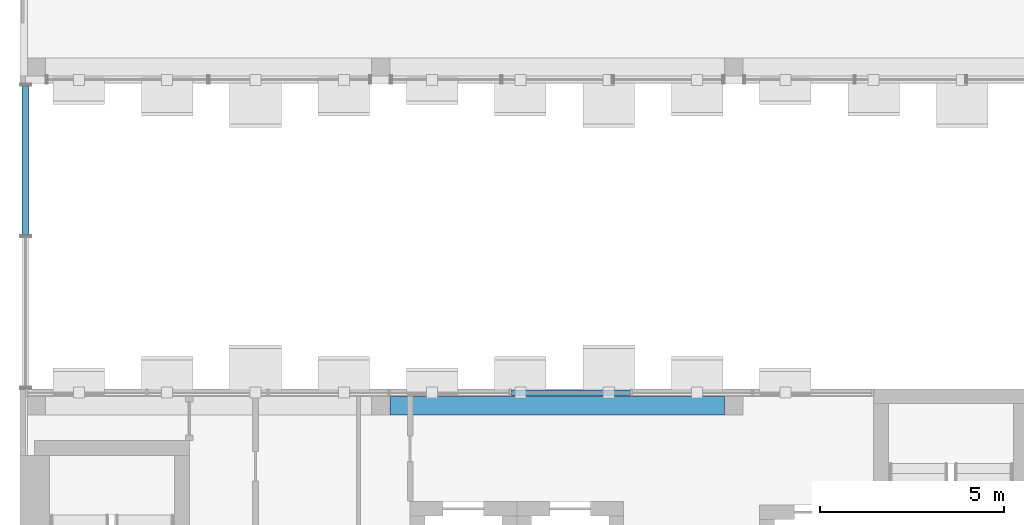
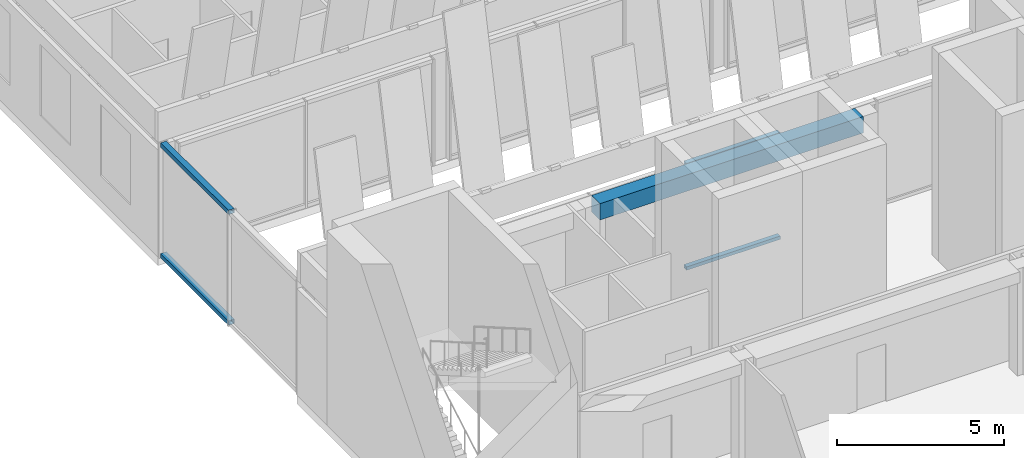
# One storey, part 6 of 26: 4 members, 1 beam, 2 elements without a shape of their own.
"""IFC4 building model written with IfcOpenShell, lengths in metres."""

from ifc_helpers import new_model, si_unit, direction, frame, origin, origin_2d, place, context, subcontext, project, spatial, rectangle, hollow_rectangle, extrude, material, layer, layer_set, material_profile, profile_set, type_object, element, aggregate, save


model = new_model("IFC4")

# Units and contexts
model_context = context("Model", 3, precision=1e-05, world=origin(), true_north=direction((0.0, 1.0)))
body_context = subcontext(model_context, "Body", "Model", "MODEL_VIEW")
ifc_project = project(units=[si_unit("LENGTHUNIT", "METRE"), si_unit("AREAUNIT", "SQUARE_METRE"), si_unit("VOLUMEUNIT", "CUBIC_METRE"), si_unit("PLANEANGLEUNIT", "RADIAN"), si_unit("MASSUNIT", "GRAM", prefix="KILO")], contexts=[model_context])

# Site, building, storey
site_placement = place(None, origin())
site = spatial("IfcSite", under=ifc_project, at=site_placement, CompositionType="ELEMENT")
building_placement = place(site_placement, origin())
building = spatial("IfcBuilding", under=site, at=building_placement, Name="Nzadi Deep Aquarium and Research Tower", CompositionType="ELEMENT")
storey_placement = place(building_placement, frame((0.0, 0.0, 78.10009765625)))
storey = spatial("IfcBuildingStorey", under=building, at=storey_placement, Name="L16", CompositionType="ELEMENT", Elevation=78.10009765625)

# Beam
ifc_material_1 = material(Name="Concrete C35/45", Category="concrete")
ifc_material_profile_1 = material_profile(ifc_material_1, rectangle(XDim=0.5, YDim=0.60009765625, at=origin_2d()))
ifc_profile_set_1 = profile_set([ifc_material_profile_1], Name="Concrete C35/45")
beam_type = type_object("IfcBeamType", Name="RC 500x600", PredefinedType="BEAM", material=ifc_profile_set_1)
beam_placement = place(storey_placement, frame((9.85009765625, 18.39990234375, 3.599853515625), z_axis=(1.0, 0.0, 0.0), x_axis=(0.0, 1.0, 0.0)))
element("IfcBeam", 1, at=beam_placement, inside=storey, type_object=beam_type, Name="B-Z1-L16-L3-2", PredefinedType="BEAM", context=body_context, shape_type="SweptSolid", body=[
    extrude(rectangle(XDim=0.5, YDim=0.60009765625, at=origin_2d()), origin(), (0.0, 0.0, 1.0), 9.099853515625),
])

# Curtain wall, members
ifc_material_2 = material(Name="Aluminium unitised frame", Category="aluminium")
ifc_layer_1 = layer(ifc_material_2, 0.199951171875)
ifc_layer_set_1 = layer_set([ifc_layer_1], Name="Aluminium unitised frame")
curtain_wall_type_1 = type_object("IfcCurtainWallType", Name="Curtain wall Unitised 200", PredefinedType="NOTDEFINED", material=ifc_layer_set_1)
curtain_wall_1_placement = place(storey_placement, origin())
curtain_wall_1 = element("IfcCurtainWall", 2, at=curtain_wall_1_placement, inside=storey, type_object=curtain_wall_type_1, Name="Unitised curtain wall blade A north L16", PredefinedType="NOTDEFINED")
ifc_material_3 = material(Name="Aluminium unitised frame", Category="aluminium")
ifc_material_profile_2 = material_profile(ifc_material_3, hollow_rectangle(XDim=0.159912109375, YDim=0.1201171875, WallThickness=0.0048828125, at=origin_2d()))
ifc_profile_set_2 = profile_set([ifc_material_profile_2], Name="Aluminium unitised frame")
member_type_1 = type_object("IfcMemberType", Name="Transom 120x160 Unitised", PredefinedType="MULLION", material=ifc_profile_set_2)
member_1_placement = place(storey_placement, frame((13.1513671875, 18.75, 0.059814453125), z_axis=(1.0, 0.0, 0.0), x_axis=(0.0, 1.0, 0.0)))
member_1 = element("IfcMember", 3, at=member_1_placement, type_object=member_type_1, Name="CW076 transom 5.1", PredefinedType="MULLION", context=body_context, shape_type="SweptSolid", body=[
    extrude(hollow_rectangle(XDim=0.159912109375, YDim=0.1201171875, WallThickness=0.0048828125, at=origin_2d()), origin(), (0.0, 0.0, 1.0), 3.23291015625),
])
member_2_placement = place(storey_placement, frame((13.1513671875, 18.75, 3.83984375), z_axis=(1.0, 0.0, 0.0), x_axis=(0.0, 1.0, 0.0)))
member_2 = element("IfcMember", 4, at=member_2_placement, type_object=member_type_1, Name="CW076 transom 5.2", PredefinedType="MULLION", context=body_context, shape_type="SweptSolid", body=[
    extrude(hollow_rectangle(XDim=0.159912109375, YDim=0.1201171875, WallThickness=0.0048828125, at=origin_2d()), origin(), (0.0, 0.0, 1.0), 3.23291015625),
])
aggregate(curtain_wall_1, [member_1, member_2])

ifc_material_4 = material(Name="Aluminium unitised frame wind post", Category="aluminium")
ifc_layer_2 = layer(ifc_material_4, 0.300048828125)
ifc_layer_set_2 = layer_set([ifc_layer_2], Name="Aluminium unitised frame wind post")
curtain_wall_type_2 = type_object("IfcCurtainWallType", Name="Curtain wall Slot End 300", PredefinedType="NOTDEFINED", material=ifc_layer_set_2)
curtain_wall_2_placement = place(storey_placement, origin())
curtain_wall_2 = element("IfcCurtainWall", 5, at=curtain_wall_2_placement, inside=storey, type_object=curtain_wall_type_2, Name="Glazed slot end west L16", PredefinedType="NOTDEFINED")
ifc_material_5 = material(Name="Aluminium unitised frame wind post", Category="aluminium")
ifc_material_profile_3 = material_profile(ifc_material_5, hollow_rectangle(XDim=0.199951171875, YDim=0.159912109375, WallThickness=0.0048828125, at=origin_2d()))
ifc_profile_set_3 = profile_set([ifc_material_profile_3], Name="Aluminium unitised frame wind post")
member_type_2 = type_object("IfcMemberType", Name="Transom 160x200 Slot End", PredefinedType="MULLION", material=ifc_profile_set_3)
member_3_placement = place(storey_placement, frame((-0.050048828125, 23.030029296875, 0.079833984375), z_axis=(0.0, 1.0, 0.0), x_axis=(-1.0, 0.0, 0.0)))
member_3 = element("IfcMember", 6, at=member_3_placement, type_object=member_type_2, Name="CW223 transom 2.1", PredefinedType="MULLION", context=body_context, shape_type="SweptSolid", body=[
    extrude(hollow_rectangle(XDim=0.199951171875, YDim=0.159912109375, WallThickness=0.0048828125, at=origin_2d()), origin(), (0.0, 0.0, 1.0), 4.06005859375),
])
member_4_placement = place(storey_placement, frame((-0.050048828125, 23.030029296875, 4.119873046875), z_axis=(0.0, 1.0, 0.0), x_axis=(-1.0, 0.0, 0.0)))
member_4 = element("IfcMember", 7, at=member_4_placement, type_object=member_type_2, Name="CW223 transom 2.2", PredefinedType="MULLION", context=body_context, shape_type="SweptSolid", body=[
    extrude(hollow_rectangle(XDim=0.199951171875, YDim=0.159912109375, WallThickness=0.0048828125, at=origin_2d()), origin(), (0.0, 0.0, 1.0), 4.06005859375),
])
aggregate(curtain_wall_2, [member_3, member_4])

save(model, "model.ifc")
